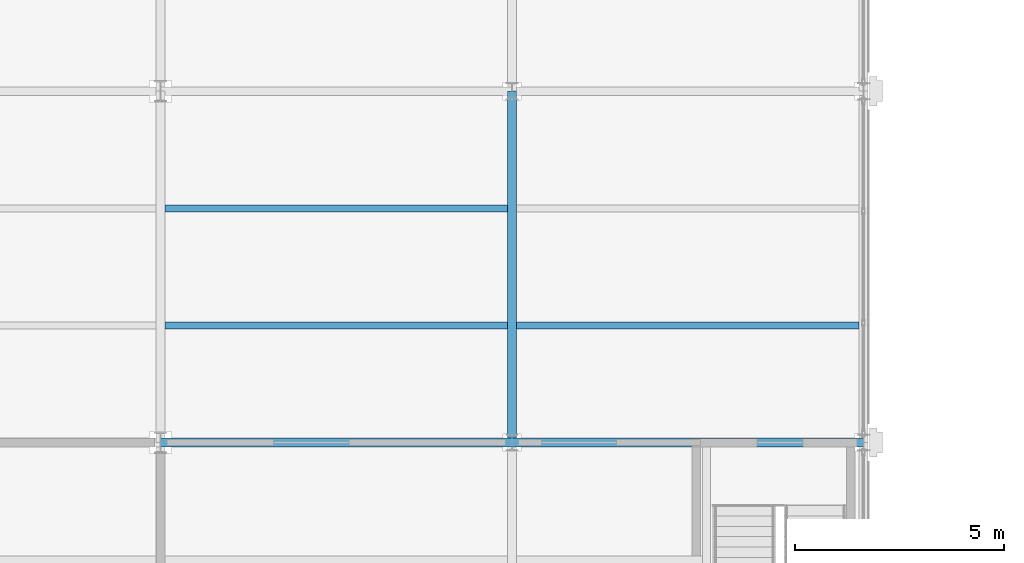
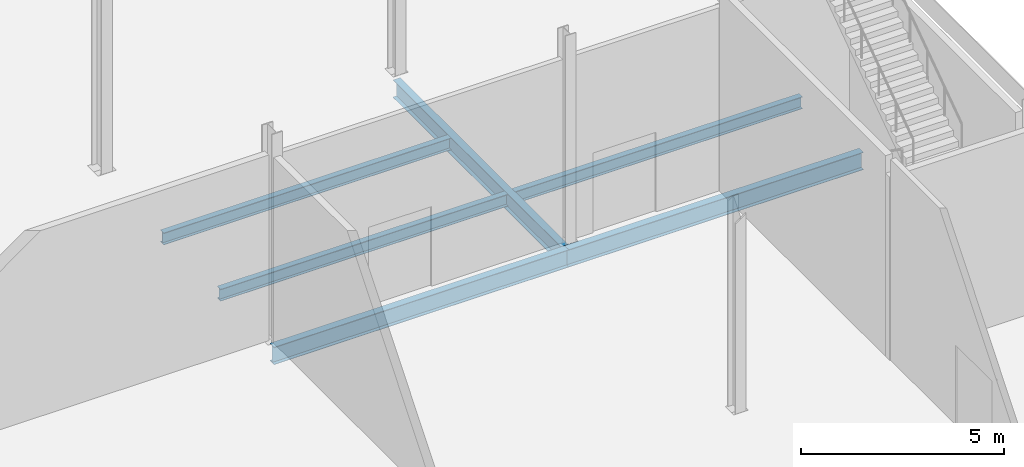
# One storey, part 33 of 77: 6 beams.
"""IFC4 building model written with IfcOpenShell, lengths in metres."""

from ifc_helpers import new_model, si_unit, direction, frame, origin, origin_2d, place, context, subcontext, project, spatial, i_section, extrude, material, material_profile, profile_set, type_object, element, save


model = new_model("IFC4")

# Units and contexts
model_context = context("Model", 3, precision=1e-05, world=origin(), true_north=direction((0.0, 1.0)))
body_context = subcontext(model_context, "Body", "Model", "MODEL_VIEW")
ifc_project = project(units=[si_unit("LENGTHUNIT", "METRE"), si_unit("AREAUNIT", "SQUARE_METRE"), si_unit("VOLUMEUNIT", "CUBIC_METRE"), si_unit("PLANEANGLEUNIT", "RADIAN"), si_unit("MASSUNIT", "GRAM", prefix="KILO")], contexts=[model_context])

# Site, building, storey
site_placement = place(None, origin())
site = spatial("IfcSite", under=ifc_project, at=site_placement, CompositionType="ELEMENT")
building_placement = place(site_placement, origin())
building = spatial("IfcBuilding", under=site, at=building_placement, Name="Catenary Quay Ferry Terminal", CompositionType="ELEMENT")
storey_placement = place(building_placement, frame((0.0, 0.0, 10.800048828125)))
storey = spatial("IfcBuildingStorey", under=building, at=storey_placement, Name="L02", CompositionType="ELEMENT", Elevation=10.800048828125)

# Beams
ifc_material_1 = material(Name="Steel S355", Category="steel")
ifc_material_profile_1 = material_profile(ifc_material_1, i_section(OverallWidth=0.208740234375, OverallDepth=0.5283203125, WebThickness=0.009521484375, FlangeThickness=0.01318359375, at=origin_2d()), Name="UB 533x210x82")
ifc_profile_set_1 = profile_set([ifc_material_profile_1], Name="Steel S355")
beam_type_1 = type_object("IfcBeamType", Name="B5 UB 533x210x82", PredefinedType="BEAM", material=ifc_profile_set_1)
beam_1_placement = place(storey_placement, frame((50.39990234375, 176.39990234375, -0.51416015625), z_axis=(1.0, 0.0, 0.0), x_axis=(0.0, 1.0, 0.0)))
element("IfcBeam", 1, at=beam_1_placement, inside=storey, type_object=beam_type_1, Name="Beam B5-008", PredefinedType="BEAM", context=body_context, shape_type="SweptSolid", body=[
    extrude(i_section(OverallWidth=0.208740234375, OverallDepth=0.5283203125, WebThickness=0.009521484375, FlangeThickness=0.01318359375, at=origin_2d()), origin(), (0.0, 0.0, 1.0), 8.400146484375),
])
beam_2_placement = place(storey_placement, frame((58.800048828125, 176.39990234375, -0.51416015625), z_axis=(1.0, 0.0, 0.0), x_axis=(0.0, 1.0, 0.0)))
element("IfcBeam", 2, at=beam_2_placement, inside=storey, type_object=beam_type_1, Name="Beam B5-009", PredefinedType="BEAM", context=body_context, shape_type="SweptSolid", body=[
    extrude(i_section(OverallWidth=0.208740234375, OverallDepth=0.5283203125, WebThickness=0.009521484375, FlangeThickness=0.01318359375, at=origin_2d()), origin(), (0.0, 0.0, 1.0), 8.39990234375),
])
beam_3_placement = place(storey_placement, frame((58.800048828125, 176.39990234375, -0.51416015625), z_axis=(0.0, 1.0, 0.0), x_axis=(-1.0, 0.0, 0.0)))
element("IfcBeam", 3, at=beam_3_placement, inside=storey, type_object=beam_type_1, Name="Beam B5-040", PredefinedType="BEAM", context=body_context, shape_type="SweptSolid", body=[
    extrude(i_section(OverallWidth=0.208740234375, OverallDepth=0.5283203125, WebThickness=0.009521484375, FlangeThickness=0.01318359375, at=origin_2d()), origin(), (0.0, 0.0, 1.0), 8.400146484375),
])
ifc_material_2 = material(Name="Steel S355", Category="steel")
ifc_material_profile_2 = material_profile(ifc_material_2, i_section(OverallWidth=0.169921875, OverallDepth=0.360107421875, WebThickness=0.008056640625, FlangeThickness=0.0126953125, at=origin_2d()), Name="IPE 360")
ifc_profile_set_2 = profile_set([ifc_material_profile_2], Name="Steel S355")
beam_type_2 = type_object("IfcBeamType", Name="B7 IPE 360", PredefinedType="BEAM", material=ifc_profile_set_2)
beam_4_placement = place(storey_placement, frame((50.50390625, 179.199951171875, -0.429931640625), z_axis=(1.0, 0.0, 0.0), x_axis=(0.0, 1.0, 0.0)))
element("IfcBeam", 4, at=beam_4_placement, inside=storey, type_object=beam_type_2, Name="Beam B7-018", PredefinedType="BEAM", context=body_context, shape_type="SweptSolid", body=[
    extrude(i_section(OverallWidth=0.169921875, OverallDepth=0.360107421875, WebThickness=0.008056640625, FlangeThickness=0.0126953125, at=origin_2d()), origin(), (0.0, 0.0, 1.0), 8.192138671875),
])
beam_5_placement = place(storey_placement, frame((58.904052734375, 179.199951171875, -0.429931640625), z_axis=(1.0, 0.0, 0.0), x_axis=(0.0, 1.0, 0.0)))
element("IfcBeam", 5, at=beam_5_placement, inside=storey, type_object=beam_type_2, Name="Beam B7-019", PredefinedType="BEAM", context=body_context, shape_type="SweptSolid", body=[
    extrude(i_section(OverallWidth=0.169921875, OverallDepth=0.360107421875, WebThickness=0.008056640625, FlangeThickness=0.0126953125, at=origin_2d()), origin(), (0.0, 0.0, 1.0), 8.19189453125),
])
beam_6_placement = place(storey_placement, frame((50.50390625, 182.0, -0.429931640625), z_axis=(1.0, 0.0, 0.0), x_axis=(0.0, 1.0, 0.0)))
element("IfcBeam", 6, at=beam_6_placement, inside=storey, type_object=beam_type_2, Name="Beam B7-023", PredefinedType="BEAM", context=body_context, shape_type="SweptSolid", body=[
    extrude(i_section(OverallWidth=0.169921875, OverallDepth=0.360107421875, WebThickness=0.008056640625, FlangeThickness=0.0126953125, at=origin_2d()), origin(), (0.0, 0.0, 1.0), 8.192138671875),
])

save(model, "model.ifc")
